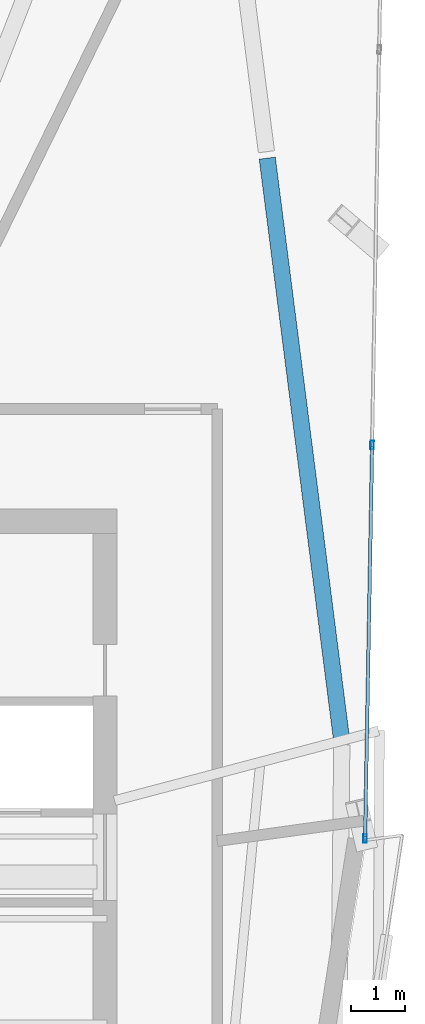
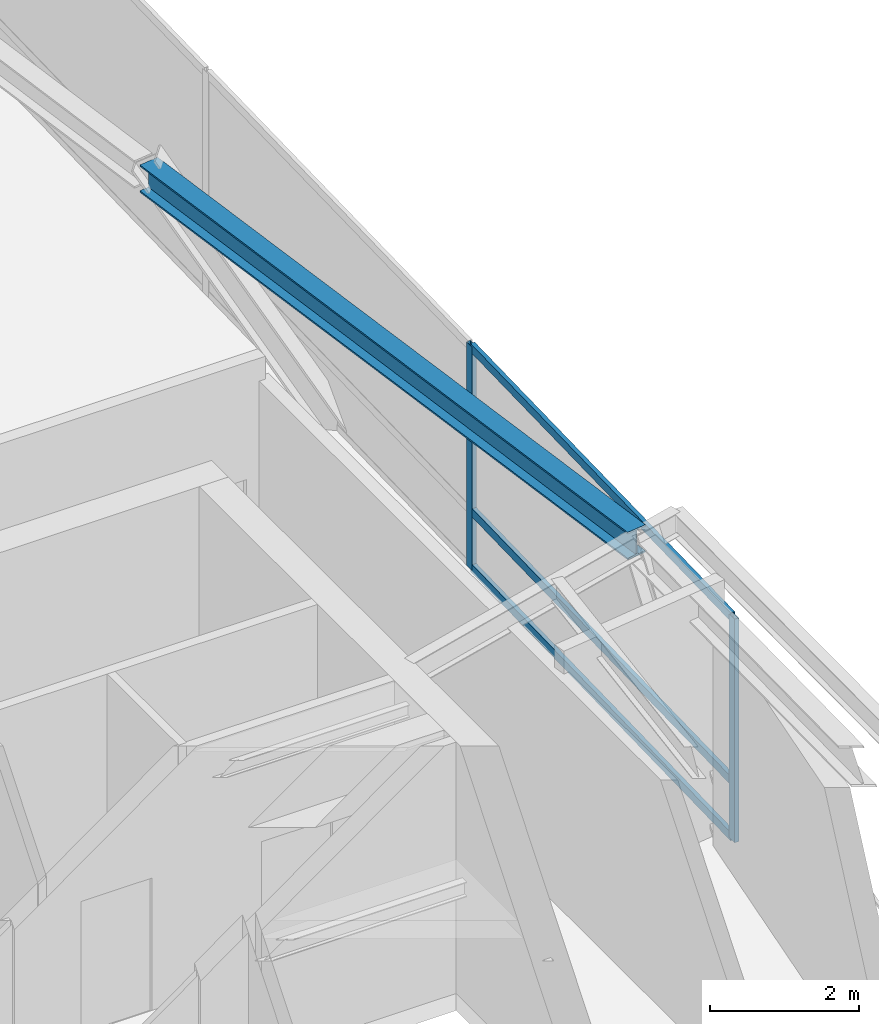
# One storey, part 10 of 22: 5 members, 1 beam, 1 element without a shape of its own.
"""IFC4 building model written with IfcOpenShell, lengths in metres."""

from ifc_helpers import new_model, si_unit, direction, frame, origin, origin_2d, place, context, subcontext, project, spatial, hollow_rectangle, i_section, extrude, source, transform, mapped, material, material_profile, profile_set, type_object, element, aggregate, save


model = new_model("IFC4")

# Units and contexts
model_context = context("Model", 3, precision=1e-05, world=origin(), true_north=direction((0.0, 1.0)))
body_context = subcontext(model_context, "Body", "Model", "MODEL_VIEW")
ifc_project = project(units=[si_unit("LENGTHUNIT", "METRE"), si_unit("AREAUNIT", "SQUARE_METRE"), si_unit("VOLUMEUNIT", "CUBIC_METRE"), si_unit("PLANEANGLEUNIT", "RADIAN"), si_unit("MASSUNIT", "GRAM", prefix="KILO")], contexts=[model_context])

# Site, building, storey
site_placement = place(None, origin())
site = spatial("IfcSite", under=ifc_project, at=site_placement, CompositionType="ELEMENT")
building_placement = place(site_placement, origin())
building = spatial("IfcBuilding", under=site, at=building_placement, Name="Olszyna Solenne Hotel", CompositionType="ELEMENT")
storey_placement = place(building_placement, frame((0.0, 0.0, 286.10009765625)))
storey = spatial("IfcBuildingStorey", under=building, at=storey_placement, Name="L76", CompositionType="ELEMENT", Elevation=286.10009765625)

# Beam
ifc_material_1 = material(Name="Steel S355J2", Category="steel")
ifc_material_profile_1 = material_profile(ifc_material_1, i_section(OverallWidth=0.300048828125, OverallDepth=0.449951171875, WebThickness=0.013916015625, FlangeThickness=0.02587890625, at=origin_2d()), Name="HEB 450", Category="load-bearing")
ifc_profile_set_1 = profile_set([ifc_material_profile_1], Name="Steel S355J2")
beam_type = type_object("IfcBeamType", Name="BM-S4", PredefinedType="BEAM", material=ifc_profile_set_1)
shared_shape_1 = source(origin(), body_context, "Body", "SweptSolid", [
    extrude(i_section(OverallWidth=0.300048828125, OverallDepth=0.449951171875, WebThickness=0.013916015625, FlangeThickness=0.02587890625, at=origin_2d()), origin(), (0.0, 0.0, 1.0), 10.810302734375),
])
beam_placement = place(storey_placement, frame((50.494384765625, 29.916259765625, 3.89501953125), z_axis=(-0.126786019095, 0.991930090965, 0.0), x_axis=(-0.991930090965, -0.126786019095, 0.0)))
element("IfcBeam", 1, at=beam_placement, inside=storey, type_object=beam_type, Name="Perimeter spandrel beam BM-S4 B-L76-2234", PredefinedType="BEAM", context=body_context, shape_type="MappedRepresentation", body=[
    mapped(shared_shape_1, transform((0.0, 0.0, 0.0), x_axis=(1.0, 0.0, 0.0), y_axis=(0.0, 1.0, 0.0), z_axis=(0.0, 0.0, 1.0), scale=1.0)),
])

# Curtain wall, members
ifc_material_2 = material(Name="Anodised bronze aluminium", Category="aluminium")
curtain_wall_type = type_object("IfcCurtainWallType", Name="CW-SYS-7", PredefinedType="NOTDEFINED", material=ifc_material_2)
curtain_wall_placement = place(storey_placement, origin())
curtain_wall = element("IfcCurtainWall", 2, at=curtain_wall_placement, inside=storey, type_object=curtain_wall_type, Name="Unitised curtain wall CW-SYS-7 CW-L76-03", PredefinedType="NOTDEFINED")
ifc_material_profile_2 = material_profile(ifc_material_2, hollow_rectangle(XDim=0.06494140625, YDim=0.159912109375, WallThickness=0.00390625, at=origin_2d()), Name="MULL 160x65x4", Category="load-bearing")
ifc_profile_set_2 = profile_set([ifc_material_profile_2], Name="Anodised bronze aluminium")
member_type_1 = type_object("IfcMemberType", Name="CW-M3", PredefinedType="MULLION", material=ifc_profile_set_2)
shared_shape_2 = source(origin(), body_context, "Body", "SweptSolid", [
    extrude(hollow_rectangle(XDim=0.06494140625, YDim=0.159912109375, WallThickness=0.00390625, at=origin_2d()), origin(), (0.0, 0.0, 1.0), 3.661865234375),
])
member_1_placement = place(storey_placement, frame((50.932861328125, 28.062744140625, 0.0), z_axis=(0.0, 0.0, 1.0), x_axis=(-0.999839174218, 0.017933925907, 0.0)))
member_1 = element("IfcMember", 3, at=member_1_placement, type_object=member_type_1, Name="Curtain-wall mullion CW-M3 CM-L76-03-01", PredefinedType="MULLION", context=body_context, shape_type="MappedRepresentation", body=[
    mapped(shared_shape_2, transform((0.0, 0.0, 0.0), x_axis=(1.0, 0.0, 0.0), y_axis=(0.0, 1.0, 0.0), z_axis=(0.0, 0.0, 1.0), scale=1.0)),
])
member_2_placement = place(storey_placement, frame((51.0634765625, 35.33740234375, 0.0), z_axis=(0.0, 0.0, 1.0), x_axis=(-0.999839174218, 0.017933925907, 0.0)))
member_2 = element("IfcMember", 4, at=member_2_placement, type_object=member_type_1, Name="Curtain-wall mullion CW-M3 CM-L76-03-02", PredefinedType="MULLION", context=body_context, shape_type="MappedRepresentation", body=[
    mapped(shared_shape_2, transform((0.0, 0.0, 0.0), x_axis=(1.0, 0.0, 0.0), y_axis=(0.0, 1.0, 0.0), z_axis=(0.0, 0.0, 1.0), scale=1.0)),
])
ifc_material_profile_3 = material_profile(ifc_material_2, hollow_rectangle(XDim=0.06494140625, YDim=0.139892578125, WallThickness=0.00390625, at=origin_2d()), Name="TRAN 140x65x4", Category="load-bearing")
ifc_profile_set_3 = profile_set([ifc_material_profile_3], Name="Anodised bronze aluminium")
member_type_2 = type_object("IfcMemberType", Name="CW-T2", PredefinedType="USERDEFINED", material=ifc_profile_set_3)
shared_shape_3 = source(origin(), body_context, "Body", "SweptSolid", [
    extrude(hollow_rectangle(XDim=0.06494140625, YDim=0.139892578125, WallThickness=0.00390625, at=origin_2d()), origin(), (0.0, 0.0, 1.0), 7.2109375),
])
member_3_placement = place(storey_placement, frame((50.933349609375, 28.09521484375, 0.032470703125), z_axis=(0.017944352145, 0.99983898715, 0.0), x_axis=(-0.99983898715, 0.017944352145, 0.0)))
member_3 = element("IfcMember", 5, at=member_3_placement, type_object=member_type_2, Name="Curtain-wall transom CW-T2 CT-L76-03-01", ObjectType="TRANSOM", PredefinedType="USERDEFINED", context=body_context, shape_type="MappedRepresentation", body=[
    mapped(shared_shape_3, transform((0.0, 0.0, 0.0), x_axis=(1.0, 0.0, 0.0), y_axis=(0.0, 1.0, 0.0), z_axis=(0.0, 0.0, 1.0), scale=1.0)),
])
member_4_placement = place(storey_placement, frame((50.933349609375, 28.09521484375, 0.949951171875), z_axis=(0.017944352145, 0.99983898715, 0.0), x_axis=(-0.99983898715, 0.017944352145, 0.0)))
member_4 = element("IfcMember", 6, at=member_4_placement, type_object=member_type_2, Name="Curtain-wall transom CW-T2 CT-L76-03-02", ObjectType="TRANSOM", PredefinedType="USERDEFINED", context=body_context, shape_type="MappedRepresentation", body=[
    mapped(shared_shape_3, transform((0.0, 0.0, 0.0), x_axis=(1.0, 0.0, 0.0), y_axis=(0.0, 1.0, 0.0), z_axis=(0.0, 0.0, 1.0), scale=1.0)),
])
member_5_placement = place(storey_placement, frame((50.933349609375, 28.09521484375, 3.62939453125), z_axis=(0.017944352145, 0.99983898715, 0.0), x_axis=(-0.99983898715, 0.017944352145, 0.0)))
member_5 = element("IfcMember", 7, at=member_5_placement, type_object=member_type_2, Name="Curtain-wall transom CW-T2 CT-L76-03-03", ObjectType="TRANSOM", PredefinedType="USERDEFINED", context=body_context, shape_type="MappedRepresentation", body=[
    mapped(shared_shape_3, transform((0.0, 0.0, 0.0), x_axis=(1.0, 0.0, 0.0), y_axis=(0.0, 1.0, 0.0), z_axis=(0.0, 0.0, 1.0), scale=1.0)),
])
aggregate(curtain_wall, [member_1, member_2, member_3, member_4, member_5])

save(model, "model.ifc")
